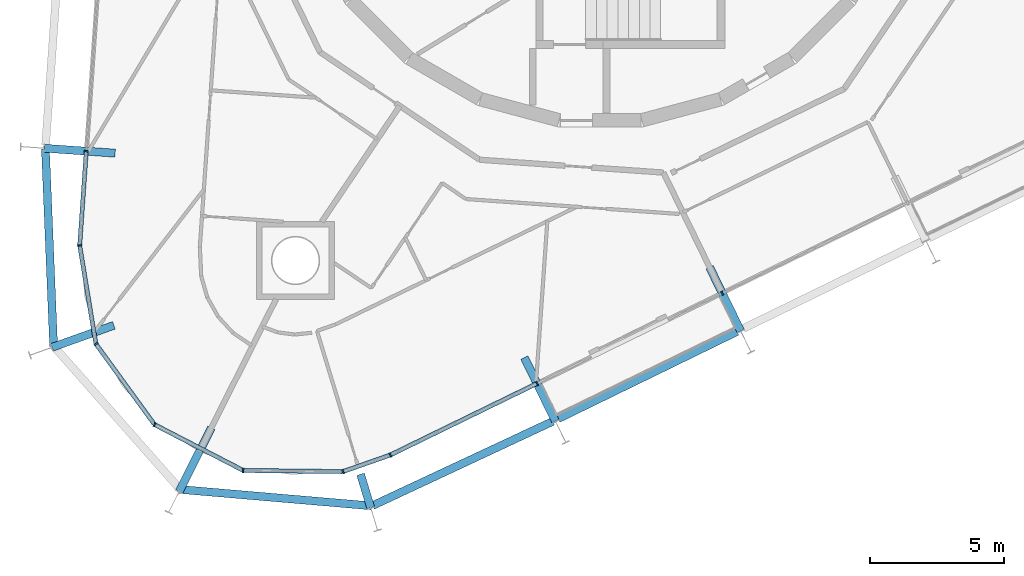
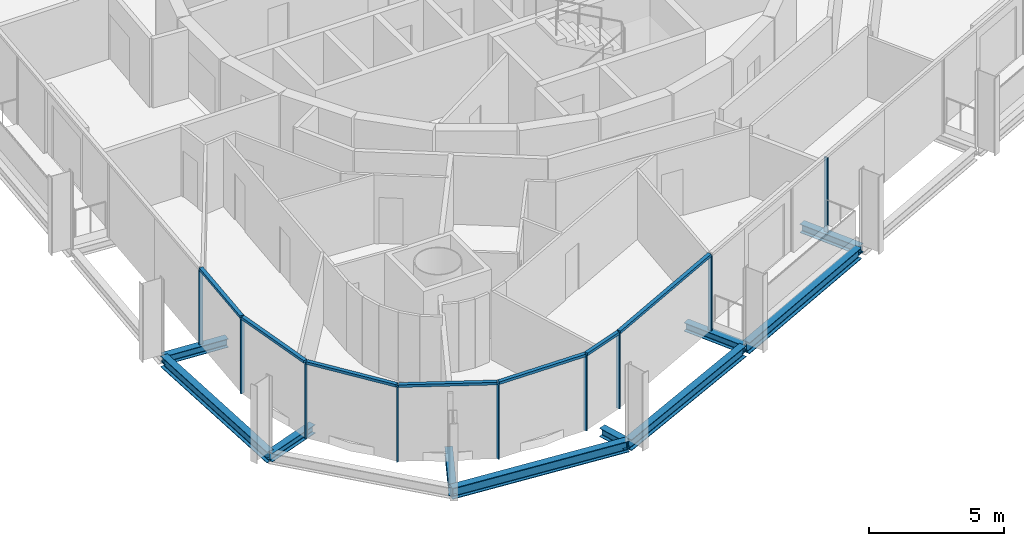
# One storey, part 2 of 18: 16 members, 10 beams, 2 elements without a shape of their own.
"""IFC4 building model written with IfcOpenShell, lengths in metres."""

from ifc_helpers import new_model, si_unit, direction, frame, origin, origin_2d, place, context, subcontext, project, spatial, rectangle, i_section, extrude, material, layer, layer_set, material_profile, profile_set, type_object, element, aggregate, save


model = new_model("IFC4")

# Units and contexts
model_context = context("Model", 3, precision=1e-05, world=origin(), true_north=direction((0.0, 1.0)))
body_context = subcontext(model_context, "Body", "Model", "MODEL_VIEW")
ifc_project = project(units=[si_unit("LENGTHUNIT", "METRE"), si_unit("AREAUNIT", "SQUARE_METRE"), si_unit("VOLUMEUNIT", "CUBIC_METRE"), si_unit("PLANEANGLEUNIT", "RADIAN"), si_unit("MASSUNIT", "GRAM", prefix="KILO")], contexts=[model_context])

# Site, building, storey
site_placement = place(None, origin())
site = spatial("IfcSite", under=ifc_project, at=site_placement, CompositionType="ELEMENT")
building_placement = place(site_placement, origin())
building = spatial("IfcBuilding", under=site, at=building_placement, Name="Spindle Arch Residences", CompositionType="ELEMENT")
storey_placement = place(building_placement, frame((0.0, 0.0, 195.39990234375)))
storey = spatial("IfcBuildingStorey", under=building, at=storey_placement, Name="L49", CompositionType="ELEMENT", Elevation=195.39990234375)

# Curtain wall, members
ifc_material_1 = material(Name="Aluminium bronze unitised frame with tinted glass", Category="aluminium")
ifc_layer_1 = layer(ifc_material_1, 0.159912109375)
ifc_layer_set_1 = layer_set([ifc_layer_1], Name="CW-D corner wall on the fillet arcs")
curtain_wall_type_1 = type_object("IfcCurtainWallType", Name="CW-D corner wall on the fillet arcs", PredefinedType="NOTDEFINED", material=ifc_layer_set_1)
curtain_wall_1_placement = place(storey_placement, origin())
curtain_wall_1 = element("IfcCurtainWall", 1, at=curtain_wall_1_placement, inside=storey, type_object=curtain_wall_type_1, Name="CW-D L49 run 5", PredefinedType="NOTDEFINED")
ifc_material_2 = material(Name="Aluminium bronze anodised mullion", Category="aluminium")
ifc_material_profile_1 = material_profile(ifc_material_2, rectangle(XDim=0.159912109375, YDim=0.06005859375, at=origin_2d()), Name="MU 60x160")
ifc_profile_set_1 = profile_set([ifc_material_profile_1], Name="Aluminium bronze anodised mullion")
member_type_1 = type_object("IfcMemberType", Name="Bronze mullion 60x160", PredefinedType="MULLION", material=ifc_profile_set_1)
member_1_placement = place(storey_placement, frame((-19.2001953125, -12.796875, -0.3798828125), z_axis=(0.0, 0.0, 1.0), x_axis=(0.99756405026, -0.069756473744, 0.0)))
member_1 = element("IfcMember", 2, at=member_1_placement, type_object=member_type_1, Name="CW-D mullion 00", PredefinedType="MULLION", context=body_context, shape_type="SweptSolid", body=[
    extrude(rectangle(XDim=0.159912109375, YDim=0.06005859375, at=origin_2d()), origin(), (0.0, 0.0, 1.0), 3.3798828125),
])
member_2_placement = place(storey_placement, frame((-19.4462890625, -16.31689453125, -0.3798828125), z_axis=(0.0, 0.0, 1.0), x_axis=(0.986761531666, 0.162177925821, 0.0)))
member_2 = element("IfcMember", 3, at=member_2_placement, type_object=member_type_1, Name="CW-D mullion 01", PredefinedType="MULLION", context=body_context, shape_type="SweptSolid", body=[
    extrude(rectangle(XDim=0.159912109375, YDim=0.06005859375, at=origin_2d()), origin(), (0.0, 0.0, 1.0), 3.3798828125),
])
member_3_placement = place(storey_placement, frame((-18.842041015625, -19.994140625, -0.3798828125), z_axis=(0.0, 0.0, 1.0), x_axis=(0.809016992641, 0.587785254679, 0.0)))
member_3 = element("IfcMember", 4, at=member_3_placement, type_object=member_type_1, Name="CW-D mullion 02", PredefinedType="MULLION", context=body_context, shape_type="SweptSolid", body=[
    extrude(rectangle(XDim=0.159912109375, YDim=0.06005859375, at=origin_2d()), origin(), (0.0, 0.0, 1.0), 3.3798828125),
])
member_4_placement = place(storey_placement, frame((-16.6513671875, -23.00927734375, -0.3798828125), z_axis=(0.0, 0.0, 1.0), x_axis=(0.459166453025, 0.88835025098, 0.0)))
member_4 = element("IfcMember", 5, at=member_4_placement, type_object=member_type_1, Name="CW-D mullion 03", PredefinedType="MULLION", context=body_context, shape_type="SweptSolid", body=[
    extrude(rectangle(XDim=0.159912109375, YDim=0.06005859375, at=origin_2d()), origin(), (0.0, 0.0, 1.0), 3.3798828125),
])
member_5_placement = place(storey_placement, frame((-13.3408203125, -24.720458984375, -0.3798828125), z_axis=(0.0, 0.0, 1.0), x_axis=(0.011635263346, 0.999932308032, 0.0)))
member_5 = element("IfcMember", 6, at=member_5_placement, type_object=member_type_1, Name="CW-D mullion 04", PredefinedType="MULLION", context=body_context, shape_type="SweptSolid", body=[
    extrude(rectangle(XDim=0.159912109375, YDim=0.06005859375, at=origin_2d()), origin(), (0.0, 0.0, 1.0), 3.3798828125),
])
member_6_placement = place(storey_placement, frame((-9.6142578125, -24.763916015625, -0.3798828125), z_axis=(0.0, 0.0, 1.0), x_axis=(-0.33106342198, 0.943608504957, 0.0)))
member_6 = element("IfcMember", 7, at=member_6_placement, type_object=member_type_1, Name="CW-D mullion 05", PredefinedType="MULLION", context=body_context, shape_type="SweptSolid", body=[
    extrude(rectangle(XDim=0.159912109375, YDim=0.06005859375, at=origin_2d()), origin(), (0.0, 0.0, 1.0), 3.3798828125),
])
member_7_placement = place(storey_placement, frame((-7.843994140625, -24.142822265625, -0.3798828125), z_axis=(0.0, 0.0, 1.0), x_axis=(-0.438371146789, 0.898794046299, 0.0)))
member_7 = element("IfcMember", 8, at=member_7_placement, type_object=member_type_1, Name="CW-D mullion 06", PredefinedType="MULLION", context=body_context, shape_type="SweptSolid", body=[
    extrude(rectangle(XDim=0.159912109375, YDim=0.06005859375, at=origin_2d()), origin(), (0.0, 0.0, 1.0), 3.3798828125),
])

ifc_material_3 = material(Name="Aluminium bronze unitised frame with tinted glass", Category="aluminium")
ifc_layer_2 = layer(ifc_material_3, 0.159912109375)
ifc_layer_set_2 = layer_set([ifc_layer_2], Name="CW-C typical residential unitised wall")
curtain_wall_type_2 = type_object("IfcCurtainWallType", Name="CW-C typical residential unitised wall", PredefinedType="NOTDEFINED", material=ifc_layer_set_2)
curtain_wall_2_placement = place(storey_placement, origin())
curtain_wall_2 = element("IfcCurtainWall", 9, at=curtain_wall_2_placement, inside=storey, type_object=curtain_wall_type_2, Name="CW-C L49 run 6", PredefinedType="NOTDEFINED")
member_8_placement = place(storey_placement, frame((-2.36767578125, -21.4716796875, -0.3798828125), z_axis=(0.0, 0.0, 1.0), x_axis=(-0.438371146789, 0.898794046299, 0.0)))
member_8 = element("IfcMember", 10, at=member_8_placement, type_object=member_type_1, Name="CW-C mullion 20", PredefinedType="MULLION", context=body_context, shape_type="SweptSolid", body=[
    extrude(rectangle(XDim=0.159912109375, YDim=0.06005859375, at=origin_2d()), origin(), (0.0, 0.0, 1.0), 3.3798828125),
])
member_9_placement = place(storey_placement, frame((4.54736328125, -18.09912109375, -0.3798828125), z_axis=(0.0, 0.0, 1.0), x_axis=(-0.438371146789, 0.898794046299, 0.0)))
member_9 = element("IfcMember", 11, at=member_9_placement, type_object=member_type_1, Name="CW-C mullion 21", PredefinedType="MULLION", context=body_context, shape_type="SweptSolid", body=[
    extrude(rectangle(XDim=0.159912109375, YDim=0.06005859375, at=origin_2d()), origin(), (0.0, 0.0, 1.0), 3.3798828125),
])
aggregate(curtain_wall_2, [member_8, member_9])

# Member
ifc_material_4 = material(Name="Aluminium bronze anodised transom", Category="aluminium")
ifc_material_profile_2 = material_profile(ifc_material_4, rectangle(XDim=0.159912109375, YDim=0.1201171875, at=origin_2d()), Name="TR 120x160")
ifc_profile_set_2 = profile_set([ifc_material_profile_2], Name="Aluminium bronze anodised transom")
member_type_2 = type_object("IfcMemberType", Name="Bronze transom 120x160", PredefinedType="USERDEFINED", material=ifc_profile_set_2)
member_10_placement = place(storey_placement, frame((-19.202392578125, -12.826904296875, 3.06005859375), z_axis=(-0.069756279092, -0.997564063871, 0.0), x_axis=(0.997564063871, -0.069756279092, 0.0)))
member_10 = element("IfcMember", 12, at=member_10_placement, type_object=member_type_2, Name="CW-D transom 00", ObjectType="TRANSOM", PredefinedType="USERDEFINED", context=body_context, shape_type="SweptSolid", body=[
    extrude(rectangle(XDim=0.159912109375, YDim=0.1201171875, at=origin_2d()), origin(), (0.0, 0.0, 1.0), 3.468505859375),
])

member_11_placement = place(storey_placement, frame((-19.44140625, -16.346435546875, 3.06005859375), z_axis=(0.162131110814, -0.986769224746, 0.0), x_axis=(0.986769224746, 0.162131110814, 0.0)))
member_11 = element("IfcMember", 13, at=member_11_placement, type_object=member_type_2, Name="CW-D transom 01", ObjectType="TRANSOM", PredefinedType="USERDEFINED", context=body_context, shape_type="SweptSolid", body=[
    extrude(rectangle(XDim=0.159912109375, YDim=0.1201171875, at=origin_2d()), origin(), (0.0, 0.0, 1.0), 3.666748046875),
])

member_12_placement = place(storey_placement, frame((-18.82421875, -20.0185546875, 3.06005859375), z_axis=(0.587807403161, -0.809000900363, 0.0), x_axis=(0.809000900363, 0.587807403161, 0.0)))
member_12 = element("IfcMember", 14, at=member_12_placement, type_object=member_type_2, Name="CW-D transom 02", ObjectType="TRANSOM", PredefinedType="USERDEFINED", context=body_context, shape_type="SweptSolid", body=[
    extrude(rectangle(XDim=0.159912109375, YDim=0.1201171875, at=origin_2d()), origin(), (0.0, 0.0, 1.0), 3.666748046875),
])

member_13_placement = place(storey_placement, frame((-16.624755859375, -23.02294921875, 3.06005859375), z_axis=(0.888327233371, -0.459210982503, 0.0), x_axis=(0.459210982503, 0.888327233371, 0.0)))
member_13 = element("IfcMember", 15, at=member_13_placement, type_object=member_type_2, Name="CW-D transom 03", ObjectType="TRANSOM", PredefinedType="USERDEFINED", context=body_context, shape_type="SweptSolid", body=[
    extrude(rectangle(XDim=0.159912109375, YDim=0.1201171875, at=origin_2d()), origin(), (0.0, 0.0, 1.0), 3.666748046875),
])

member_14_placement = place(storey_placement, frame((-13.310791015625, -24.720703125, 3.06005859375), z_axis=(0.999932114398, -0.011651892397, 0.0), x_axis=(0.011651892397, 0.999932114398, 0.0)))
member_14 = element("IfcMember", 16, at=member_14_placement, type_object=member_type_2, Name="CW-D transom 04", ObjectType="TRANSOM", PredefinedType="USERDEFINED", context=body_context, shape_type="SweptSolid", body=[
    extrude(rectangle(XDim=0.159912109375, YDim=0.1201171875, at=origin_2d()), origin(), (0.0, 0.0, 1.0), 3.666748046875),
])

member_15_placement = place(storey_placement, frame((-9.5859375, -24.75390625, 3.06005859375), z_axis=(0.943591876762, 0.331110812432, 0.0), x_axis=(-0.331110812432, 0.943591876762, 0.0)))
member_15 = element("IfcMember", 17, at=member_15_placement, type_object=member_type_2, Name="CW-D transom 05", ObjectType="TRANSOM", PredefinedType="USERDEFINED", context=body_context, shape_type="SweptSolid", body=[
    extrude(rectangle(XDim=0.159912109375, YDim=0.1201171875, at=origin_2d()), origin(), (0.0, 0.0, 1.0), 1.816162109375),
])

member_16_placement = place(storey_placement, frame((-7.81689453125, -24.129638671875, 3.06005859375), z_axis=(0.898786724344, 0.438386158704, 0.0), x_axis=(-0.438386158704, 0.898786724344, 0.0)))
member_16 = element("IfcMember", 18, at=member_16_placement, type_object=member_type_2, Name="CW-D transom 06", ObjectType="TRANSOM", PredefinedType="USERDEFINED", context=body_context, shape_type="SweptSolid", body=[
    extrude(rectangle(XDim=0.159912109375, YDim=0.1201171875, at=origin_2d()), origin(), (0.0, 0.0, 1.0), 6.032958984375),
])

aggregate(curtain_wall_1, [member_1, member_10, member_2, member_11, member_3, member_12, member_4, member_13, member_5, member_14, member_6, member_15, member_7, member_16])

# Beams
ifc_material_5 = material(Name="Steel S460ML, intumescent coating R 120", Category="steel")
ifc_material_profile_3 = material_profile(ifc_material_5, i_section(OverallWidth=0.300048828125, OverallDepth=0.5, WebThickness=0.014404296875, FlangeThickness=0.028076171875, FilletRadius=0.027099609375, at=origin_2d()), Name="HEB 500")
ifc_profile_set_3 = profile_set([ifc_material_profile_3], Name="Steel S460ML, intumescent coating R 120")
beam_type_1 = type_object("IfcBeamType", Name="Exoskeleton edge beam HEB 500", PredefinedType="BEAM", material=ifc_profile_set_3)
beam_1_placement = place(storey_placement, frame((-20.724609375, -12.719482421875, -0.6298828125), z_axis=(0.041509189308, -0.999138122185, 0.0), x_axis=(0.999138122185, 0.041509189308, 0.0)))
element("IfcBeam", 19, at=beam_1_placement, inside=storey, type_object=beam_type_1, Name="Exoskeleton edge beam 17", PredefinedType="BEAM", context=body_context, shape_type="SweptSolid", body=[
    extrude(i_section(OverallWidth=0.300048828125, OverallDepth=0.5, WebThickness=0.014404296875, FlangeThickness=0.028076171875, FilletRadius=0.027099609375, at=origin_2d()), origin(), (0.0, 0.0, 1.0), 7.36376953125),
])
beam_2_placement = place(storey_placement, frame((-15.7568359375, -25.42431640625, -0.6298828125), z_axis=(0.996340259924, -0.085475648313, 0.0), x_axis=(0.085475648313, 0.996340259924, 0.0)))
element("IfcBeam", 20, at=beam_2_placement, inside=storey, type_object=beam_type_1, Name="Exoskeleton edge beam 19", PredefinedType="BEAM", context=body_context, shape_type="SweptSolid", body=[
    extrude(i_section(OverallWidth=0.300048828125, OverallDepth=0.5, WebThickness=0.014404296875, FlangeThickness=0.028076171875, FilletRadius=0.027099609375, at=origin_2d()), origin(), (0.0, 0.0, 1.0), 7.249267578125),
])
beam_3_placement = place(storey_placement, frame((-8.508056640625, -26.0322265625, -0.6298828125), z_axis=(0.905883990605, 0.423525908966, 0.0), x_axis=(-0.423525908966, 0.905883990605, 0.0)))
element("IfcBeam", 21, at=beam_3_placement, inside=storey, type_object=beam_type_1, Name="Exoskeleton edge beam 20", PredefinedType="BEAM", context=body_context, shape_type="SweptSolid", body=[
    extrude(i_section(OverallWidth=0.300048828125, OverallDepth=0.5, WebThickness=0.014404296875, FlangeThickness=0.028076171875, FilletRadius=0.027099609375, at=origin_2d()), origin(), (0.0, 0.0, 1.0), 7.42822265625),
])
beam_4_placement = place(storey_placement, frame((-1.580078125, -22.789794921875, -0.6298828125), z_axis=(0.898804110297, 0.438350511935, 0.0), x_axis=(-0.438350511935, 0.898804110297, 0.0)))
element("IfcBeam", 22, at=beam_4_placement, inside=storey, type_object=beam_type_1, Name="Exoskeleton edge beam 21", PredefinedType="BEAM", context=body_context, shape_type="SweptSolid", body=[
    extrude(i_section(OverallWidth=0.300048828125, OverallDepth=0.5, WebThickness=0.014404296875, FlangeThickness=0.028076171875, FilletRadius=0.027099609375, at=origin_2d()), origin(), (0.0, 0.0, 1.0), 7.43359375),
])
ifc_material_6 = material(Name="Steel S460ML, intumescent coating R 120", Category="steel")
ifc_material_profile_4 = material_profile(ifc_material_6, i_section(OverallWidth=0.300048828125, OverallDepth=0.389892578125, WebThickness=0.010986328125, FlangeThickness=0.01904296875, FilletRadius=0.027099609375, at=origin_2d()), Name="HEA 400")
ifc_profile_set_4 = profile_set([ifc_material_profile_4], Name="Steel S460ML, intumescent coating R 120")
beam_type_2 = type_object("IfcBeamType", Name="Floor outrigger HEA 400", PredefinedType="BEAM", material=ifc_profile_set_4)
beam_5_placement = place(storey_placement, frame((-20.766357421875, -12.6875, -0.574951171875), z_axis=(0.997565124092, -0.069741115528, 0.0), x_axis=(0.069741115528, 0.997565124092, 0.0)))
element("IfcBeam", 23, at=beam_5_placement, inside=storey, type_object=beam_type_2, Name="Floor outrigger 17", PredefinedType="BEAM", context=body_context, shape_type="SweptSolid", body=[
    extrude(i_section(OverallWidth=0.300048828125, OverallDepth=0.389892578125, WebThickness=0.010986328125, FlangeThickness=0.01904296875, FilletRadius=0.027099609375, at=origin_2d()), origin(), (0.0, 0.0, 1.0), 2.64990234375),
])
beam_6_placement = place(storey_placement, frame((-20.475341796875, -20.1220703125, -0.574951171875), z_axis=(0.941908704104, 0.335869011868, 0.0), x_axis=(-0.335869011868, 0.941908704104, 0.0)))
element("IfcBeam", 24, at=beam_6_placement, inside=storey, type_object=beam_type_2, Name="Floor outrigger 18", PredefinedType="BEAM", context=body_context, shape_type="SweptSolid", body=[
    extrude(i_section(OverallWidth=0.300048828125, OverallDepth=0.389892578125, WebThickness=0.010986328125, FlangeThickness=0.01904296875, FilletRadius=0.027099609375, at=origin_2d()), origin(), (0.0, 0.0, 1.0), 2.448974609375),
])
beam_7_placement = place(storey_placement, frame((-15.725830078125, -25.49951171875, -0.574951171875), z_axis=(0.449717951116, 0.893170624486, 0.0), x_axis=(-0.893170624486, 0.449717951116, 0.0)))
element("IfcBeam", 25, at=beam_7_placement, inside=storey, type_object=beam_type_2, Name="Floor outrigger 19", PredefinedType="BEAM", context=body_context, shape_type="SweptSolid", body=[
    extrude(i_section(OverallWidth=0.300048828125, OverallDepth=0.389892578125, WebThickness=0.010986328125, FlangeThickness=0.01904296875, FilletRadius=0.027099609375, at=origin_2d()), origin(), (0.0, 0.0, 1.0), 2.649658203125),
])
beam_8_placement = place(storey_placement, frame((-8.57763671875, -26.11279296875, -0.574951171875), z_axis=(-0.291027903823, 0.956714565164, 0.0), x_axis=(-0.956714565164, -0.291027903823, 0.0)))
element("IfcBeam", 26, at=beam_8_placement, inside=storey, type_object=beam_type_2, Name="Floor outrigger 20", PredefinedType="BEAM", context=body_context, shape_type="SweptSolid", body=[
    extrude(i_section(OverallWidth=0.300048828125, OverallDepth=0.389892578125, WebThickness=0.010986328125, FlangeThickness=0.01904296875, FilletRadius=0.027099609375, at=origin_2d()), origin(), (0.0, 0.0, 1.0), 1.307861328125),
])
for number, where, z_axis, x_axis, name in (
    (27, (-1.679443359375, -22.8828125, -0.574951171875), (-0.438347395329, 0.898805630272, 0.0), (-0.898805630272, -0.438347395329, 0.0), "Floor outrigger 21"),
    (28, (5.235595703125, -19.510009765625, -0.574951171875), (-0.438383695602, 0.898787925725, 0.0), (-0.898787925725, -0.438383695602, 0.0), "Floor outrigger 22"),
):
    element("IfcBeam", number, at=place(storey_placement, frame(where, z_axis=z_axis, x_axis=x_axis)), inside=storey, type_object=beam_type_2, Name=name, PredefinedType="BEAM", context=body_context, shape_type="SweptSolid", body=[
        extrude(i_section(OverallWidth=0.300048828125, OverallDepth=0.389892578125, WebThickness=0.010986328125, FlangeThickness=0.01904296875, FilletRadius=0.027099609375, at=origin_2d()), origin(), (0.0, 0.0, 1.0), 2.64990234375),
    ])

save(model, "model.ifc")
